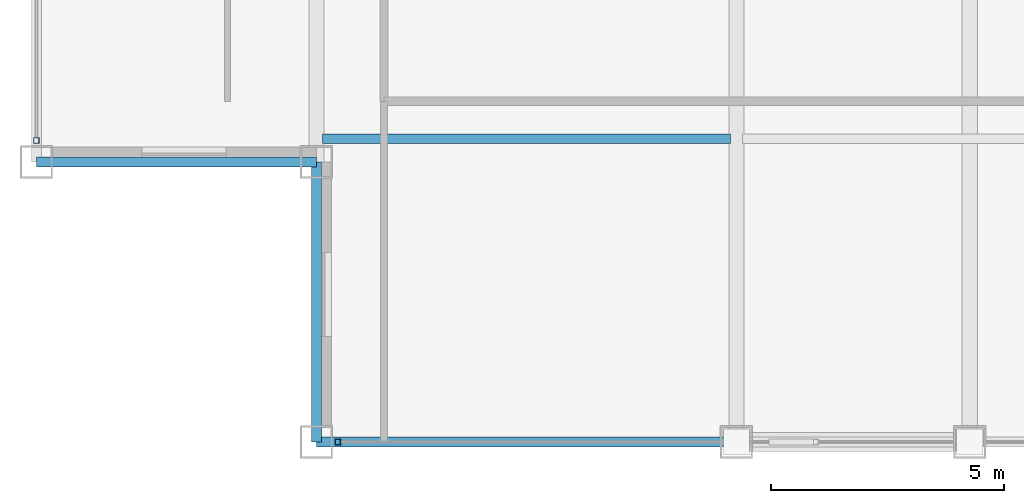
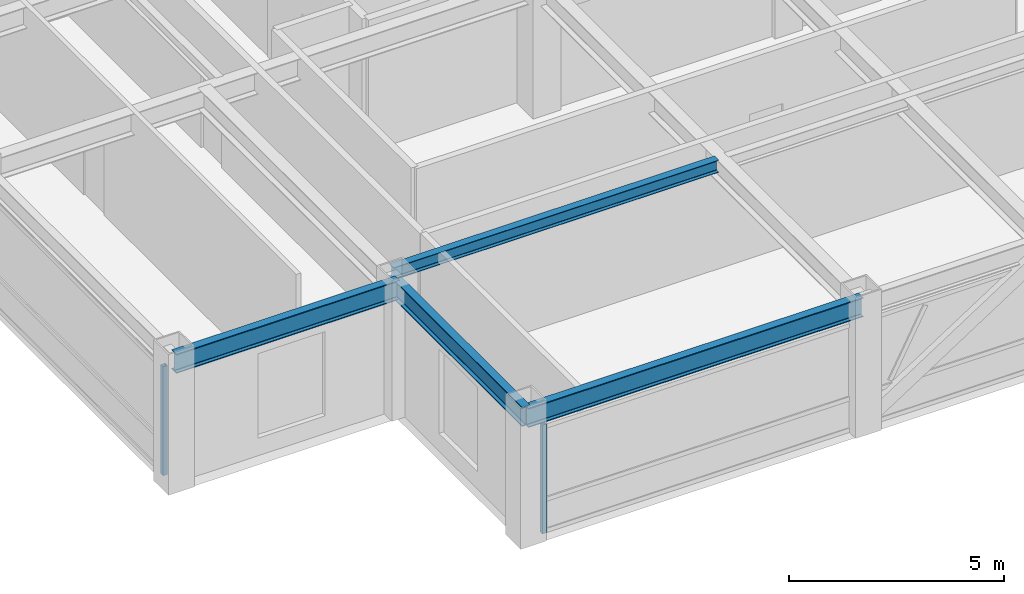
# One storey, part 2 of 29: 4 beams, 2 members, 2 elements without a shape of their own.
"""IFC4 building model written with IfcOpenShell, lengths in metres."""

from ifc_helpers import new_model, si_unit, direction, frame, origin, origin_2d, place, context, subcontext, project, spatial, hollow_rectangle, i_section, extrude, source, transform, mapped, material, material_profile, profile_set, type_object, element, aggregate, save


model = new_model("IFC4")

# Units and contexts
model_context = context("Model", 3, precision=1e-05, world=origin(), true_north=direction((0.0, 1.0)))
body_context = subcontext(model_context, "Body", "Model", "MODEL_VIEW")
ifc_project = project(units=[si_unit("LENGTHUNIT", "METRE"), si_unit("AREAUNIT", "SQUARE_METRE"), si_unit("VOLUMEUNIT", "CUBIC_METRE"), si_unit("PLANEANGLEUNIT", "RADIAN"), si_unit("MASSUNIT", "GRAM", prefix="KILO")], contexts=[model_context])

# Site, building, storey
site_placement = place(None, origin())
site = spatial("IfcSite", under=ifc_project, at=site_placement, CompositionType="ELEMENT")
building_placement = place(site_placement, origin())
building = spatial("IfcBuilding", under=site, at=building_placement, Name="Khorayat Bourse Tower", CompositionType="ELEMENT")
storey_placement = place(building_placement, frame((0.0, 0.0, 362.300048828125)))
storey = spatial("IfcBuildingStorey", under=building, at=storey_placement, Name="L86", CompositionType="ELEMENT", Elevation=362.300048828125)

# Beams
ifc_material_1 = material(Name="Steel ASTM A992 Grade 50", Category="steel")
ifc_material_profile_1 = material_profile(ifc_material_1, i_section(OverallWidth=0.214111328125, OverallDepth=0.549072265625, WebThickness=0.0146484375, FlangeThickness=0.023681640625, FilletRadius=0.013916015625, at=origin_2d()), Name="W530X138")
ifc_profile_set_1 = profile_set([ifc_material_profile_1], Name="Steel ASTM A992 Grade 50")
beam_type_1 = type_object("IfcBeamType", Name="BM-SPAN-530", PredefinedType="SPANDREL", material=ifc_profile_set_1)
shared_shape_1 = source(origin(), body_context, "Body", "SweptSolid", [
    extrude(i_section(OverallWidth=0.214111328125, OverallDepth=0.549072265625, WebThickness=0.0146484375, FlangeThickness=0.023681640625, FilletRadius=0.013916015625, at=origin_2d()), origin(), (0.0, 0.0, 1.0), 9.0),
])
beam_1_placement = place(storey_placement, frame((-20.0, -26.0, 3.46533203125), z_axis=(1.0, 0.0, 0.0), x_axis=(0.0, 1.0, 0.0)))
element("IfcBeam", 1, at=beam_1_placement, inside=storey, type_object=beam_type_1, Name="L86 BM-SPAN-530 BM-L86-SPN-024", PredefinedType="SPANDREL", context=body_context, shape_type="MappedRepresentation", body=[
    mapped(shared_shape_1, transform((0.0, 0.0, 0.0), scale=1.0)),
])
shared_shape_2 = source(origin(), body_context, "Body", "SweptSolid", [
    extrude(i_section(OverallWidth=0.214111328125, OverallDepth=0.549072265625, WebThickness=0.0146484375, FlangeThickness=0.023681640625, FilletRadius=0.013916015625, at=origin_2d()), origin(), (0.0, 0.0, 1.0), 6.0),
])
for number, where, z_axis, x_axis, name in (
    (2, (-26.0, -20.0, 3.46533203125), (1.0, 0.0, 0.0), (0.0, 1.0, 0.0), "L86 BM-SPAN-530 BM-L86-SPN-054"),
    (3, (-20.0, -26.0, 3.46533203125), (0.0, 1.0, 0.0), (-1.0, 0.0, 0.0), "L86 BM-SPAN-530 BM-L86-SPN-055"),
):
    element("IfcBeam", number, at=place(storey_placement, frame(where, z_axis=z_axis, x_axis=x_axis)), inside=storey, type_object=beam_type_1, Name=name, PredefinedType="SPANDREL", context=body_context, shape_type="MappedRepresentation", body=[
        mapped(shared_shape_2, transform((0.0, 0.0, 0.0), scale=1.0)),
    ])
ifc_material_profile_2 = material_profile(ifc_material_1, i_section(OverallWidth=0.202880859375, OverallDepth=0.346923828125, WebThickness=0.0078125, FlangeThickness=0.013427734375, FilletRadius=0.010009765625, at=origin_2d()), Name="W360X64")
ifc_profile_set_2 = profile_set([ifc_material_profile_2], Name="Steel ASTM A992 Grade 50")
beam_type_2 = type_object("IfcBeamType", Name="BM-JOIST-360", PredefinedType="JOIST", material=ifc_profile_set_2)
shared_shape_3 = source(origin(), body_context, "Body", "SweptSolid", [
    extrude(i_section(OverallWidth=0.202880859375, OverallDepth=0.346923828125, WebThickness=0.0078125, FlangeThickness=0.013427734375, FilletRadius=0.010009765625, at=origin_2d()), origin(), (0.0, 0.0, 1.0), 8.740234375),
])
beam_2_placement = place(storey_placement, frame((-19.8701171875, -19.5, 3.56640625), z_axis=(1.0, 0.0, 0.0), x_axis=(0.0, 1.0, 0.0)))
element("IfcBeam", 4, at=beam_2_placement, inside=storey, type_object=beam_type_2, Name="L86 BM-JOIST-360 BM-L86-JSTX-080", PredefinedType="JOIST", context=body_context, shape_type="MappedRepresentation", body=[
    mapped(shared_shape_3, transform((0.0, 0.0, 0.0), scale=1.0)),
])

# Curtain wall, member
ifc_material_2 = material(Name="Aluminium EN AW-6063 T6", Category="aluminium")
curtain_wall_type = type_object("IfcCurtainWallType", Name="CW-SYS-04", PredefinedType="NOTDEFINED", material=ifc_material_2)
curtain_wall_1_placement = place(storey_placement, origin())
curtain_wall_1 = element("IfcCurtainWall", 5, at=curtain_wall_1_placement, inside=storey, type_object=curtain_wall_type, Name="L86 Curtain Wall CW-L86-S1", PredefinedType="NOTDEFINED")
ifc_material_profile_3 = material_profile(ifc_material_2, hollow_rectangle(XDim=0.1201171875, YDim=0.1201171875, WallThickness=0.0048828125, at=origin_2d()), Name="ALU 120x120x5")
ifc_profile_set_3 = profile_set([ifc_material_profile_3], Name="Aluminium EN AW-6063 T6")
member_type = type_object("IfcMemberType", Name="CWM-VERT-120", PredefinedType="MULLION", material=ifc_profile_set_3)
shared_shape_4 = source(origin(), body_context, "Body", "SweptSolid", [
    extrude(hollow_rectangle(XDim=0.1201171875, YDim=0.1201171875, WallThickness=0.0048828125, at=origin_2d()), origin(), (0.0, 0.0, 1.0), 3.08984375),
])
member_1_placement = place(storey_placement, frame((-19.5400390625, -26.0, 0.0), z_axis=(0.0, 0.0, 1.0), x_axis=(0.0, 1.0, 0.0)))
member_1 = element("IfcMember", 6, at=member_1_placement, type_object=member_type, Name="CW-L86-S1 Vertical Mullion 1", PredefinedType="MULLION", context=body_context, shape_type="MappedRepresentation", body=[
    mapped(shared_shape_4, transform((0.0, 0.0, 0.0), scale=1.0)),
])
aggregate(curtain_wall_1, [member_1])

curtain_wall_2_placement = place(storey_placement, origin())
curtain_wall_2 = element("IfcCurtainWall", 7, at=curtain_wall_2_placement, inside=storey, type_object=curtain_wall_type, Name="L86 Curtain Wall CW-L86-W1", PredefinedType="NOTDEFINED")
member_2_placement = place(storey_placement, frame((-26.0, -19.5400390625, 0.0), z_axis=(0.0, 0.0, 1.0), x_axis=(-1.0, 0.0, 0.0)))
member_2 = element("IfcMember", 8, at=member_2_placement, type_object=member_type, Name="CW-L86-W1 Vertical Mullion 1", PredefinedType="MULLION", context=body_context, shape_type="MappedRepresentation", body=[
    mapped(shared_shape_4, transform((0.0, 0.0, 0.0), scale=1.0)),
])
aggregate(curtain_wall_2, [member_2])

save(model, "model.ifc")
